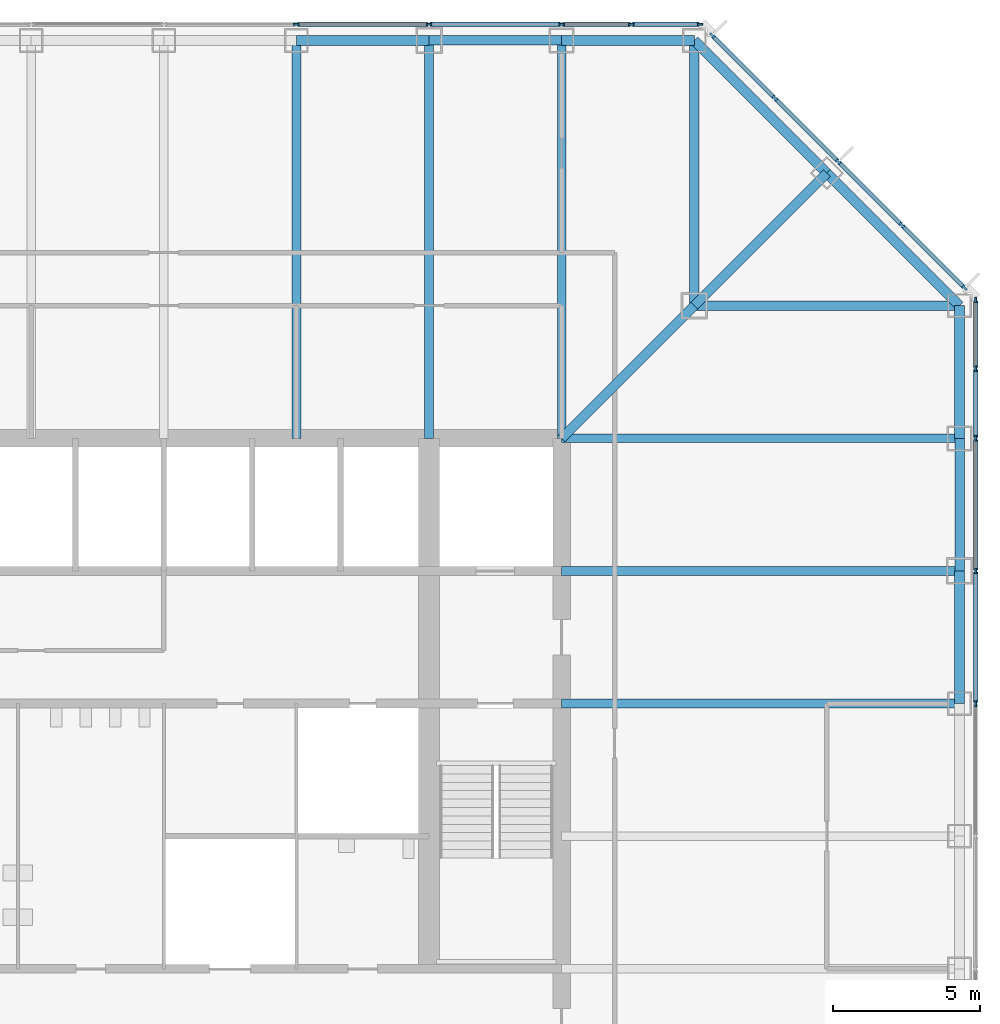
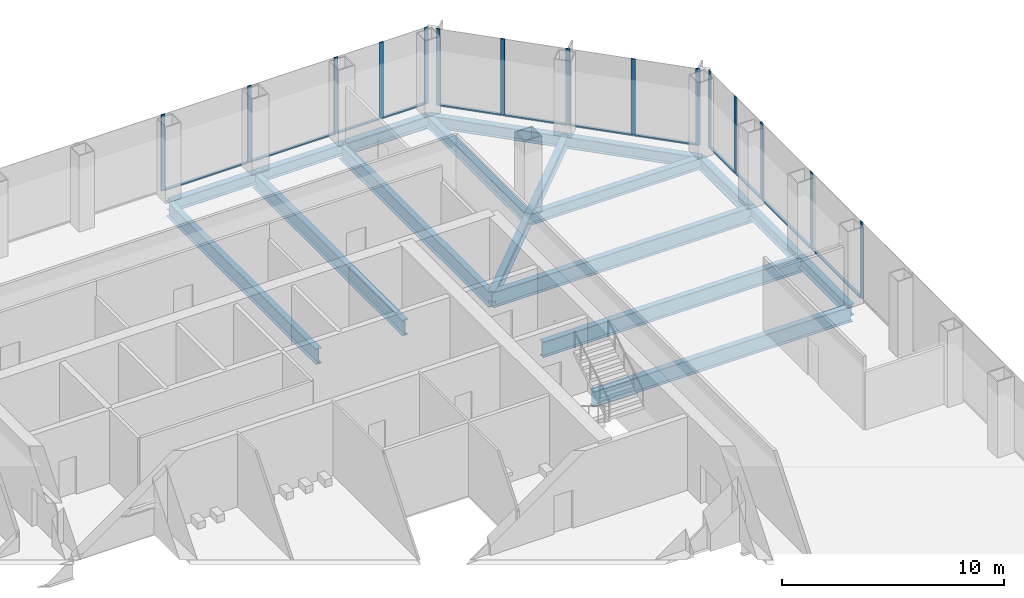
# One storey, part 6 of 12: 27 members, 18 beams, 3 elements without a shape of their own.
"""IFC4 building model written with IfcOpenShell, lengths in metres."""

from ifc_helpers import new_model, si_unit, direction, frame, origin, origin_2d, place, context, subcontext, project, spatial, rectangle, i_section, extrude, material, material_profile, profile_set, type_object, element, aggregate, save


model = new_model("IFC4")

# Units and contexts
model_context = context("Model", 3, precision=1e-05, world=origin(), true_north=direction((0.0, 1.0)))
body_context = subcontext(model_context, "Body", "Model", "MODEL_VIEW")
ifc_project = project(units=[si_unit("LENGTHUNIT", "METRE"), si_unit("AREAUNIT", "SQUARE_METRE"), si_unit("VOLUMEUNIT", "CUBIC_METRE"), si_unit("PLANEANGLEUNIT", "RADIAN"), si_unit("MASSUNIT", "GRAM", prefix="KILO")], contexts=[model_context])

# Site, building, storey
site_placement = place(None, origin())
site = spatial("IfcSite", under=ifc_project, at=site_placement, CompositionType="ELEMENT")
building_placement = place(site_placement, origin())
building = spatial("IfcBuilding", under=site, at=building_placement, Name="Corais Broadcast Tower", CompositionType="ELEMENT")
storey_placement = place(building_placement, frame((0.0, 0.0, 58.39990234375)))
storey = spatial("IfcBuildingStorey", under=building, at=storey_placement, Name="L12", CompositionType="ELEMENT", Elevation=58.39990234375)

# Beams
ifc_material_1 = material(Name="Steel ASTM A572 Grade 50", Category="steel")
ifc_material_profile_1 = material_profile(ifc_material_1, i_section(OverallWidth=0.323974609375, OverallDepth=0.611083984375, WebThickness=0.0126953125, FlangeThickness=0.01904296875, at=origin_2d()), Name="W610x155")
ifc_profile_set_1 = profile_set([ifc_material_profile_1], Name="Steel ASTM A572 Grade 50")
beam_type_1 = type_object("IfcBeamType", Name="Chamfer tie W610x155", PredefinedType="BEAM", material=ifc_profile_set_1)
beam_1_placement = place(storey_placement, frame((49.5, 49.5, -0.46533203125), z_axis=(-0.707106781187, -0.707106781187, 0.0), x_axis=(0.707106781187, -0.707106781187, 0.0)))
element("IfcBeam", 1, at=beam_1_placement, inside=storey, type_object=beam_type_1, Name="B5 M/14 to L/13", PredefinedType="BEAM", context=body_context, shape_type="SweptSolid", body=[
    extrude(i_section(OverallWidth=0.323974609375, OverallDepth=0.611083984375, WebThickness=0.0126953125, FlangeThickness=0.01904296875, at=origin_2d()), origin(), (0.0, 0.0, 1.0), 6.364013671875),
])
ifc_material_2 = material(Name="Steel ASTM A572 Grade 50", Category="steel")
ifc_material_profile_2 = material_profile(ifc_material_2, i_section(OverallWidth=0.323974609375, OverallDepth=0.611083984375, WebThickness=0.0126953125, FlangeThickness=0.01904296875, at=origin_2d()), Name="W610x155")
ifc_profile_set_2 = profile_set([ifc_material_profile_2], Name="Steel ASTM A572 Grade 50")
beam_type_2 = type_object("IfcBeamType", Name="Corner diagonal W610x155", PredefinedType="BEAM", material=ifc_profile_set_2)
beam_2_placement = place(storey_placement, frame((45.0, 45.0, -0.46533203125), z_axis=(-0.707106781187, -0.707106781187, 0.0), x_axis=(0.707106781187, -0.707106781187, 0.0)))
element("IfcBeam", 2, at=beam_2_placement, inside=storey, type_object=beam_type_2, Name="B6 L/13 to K/12", PredefinedType="BEAM", context=body_context, shape_type="SweptSolid", body=[
    extrude(i_section(OverallWidth=0.323974609375, OverallDepth=0.611083984375, WebThickness=0.0126953125, FlangeThickness=0.01904296875, at=origin_2d()), origin(), (0.0, 0.0, 1.0), 6.364013671875),
])
ifc_material_3 = material(Name="Steel ASTM A572 Grade 50", Category="steel")
ifc_material_profile_3 = material_profile(ifc_material_3, i_section(OverallWidth=0.323974609375, OverallDepth=0.611083984375, WebThickness=0.0126953125, FlangeThickness=0.01904296875, at=origin_2d()), Name="W610x155")
ifc_profile_set_3 = profile_set([ifc_material_profile_3], Name="Steel ASTM A572 Grade 50")
beam_type_3 = type_object("IfcBeamType", Name="Corner girder W610x155", PredefinedType="BEAM", material=ifc_profile_set_3)
for number, where, z_axis, x_axis, name in (
    (3, (45.0, 54.0, -0.46533203125), (0.0, -1.0, 0.0), (1.0, 0.0, 0.0), "B4 N/13 to L/13"),
    (4, (54.0, 45.0, -0.46533203125), (-1.0, 0.0, 0.0), (0.0, -1.0, 0.0), "B4 L/15 to L/13"),
):
    element("IfcBeam", number, at=place(storey_placement, frame(where, z_axis=z_axis, x_axis=x_axis)), inside=storey, type_object=beam_type_3, Name=name, PredefinedType="BEAM", context=body_context, shape_type="SweptSolid", body=[
        extrude(i_section(OverallWidth=0.323974609375, OverallDepth=0.611083984375, WebThickness=0.0126953125, FlangeThickness=0.01904296875, at=origin_2d()), origin(), (0.0, 0.0, 1.0), 9.0),
    ])
ifc_material_4 = material(Name="Steel ASTM A572 Grade 50", Category="steel")
ifc_material_profile_4 = material_profile(ifc_material_4, i_section(OverallWidth=0.337890625, OverallDepth=0.677978515625, WebThickness=0.029541015625, FlangeThickness=0.052978515625, at=origin_2d()), Name="W610x415")
ifc_profile_set_4 = profile_set([ifc_material_profile_4], Name="Steel ASTM A572 Grade 50")
beam_type_4 = type_object("IfcBeamType", Name="Corner spandrel W610x415", PredefinedType="BEAM", material=ifc_profile_set_4)
for number, where, z_axis, x_axis, name in (
    (5, (45.0, 54.0, -0.4990234375), (-1.0, 0.0, 0.0), (0.0, -1.0, 0.0), "SB10 N/13 to N/12"),
    (6, (54.0, 40.5, -0.4990234375), (0.0, 1.0, 0.0), (-1.0, 0.0, 0.0), "SB10 K/15 to L/15"),
):
    element("IfcBeam", number, at=place(storey_placement, frame(where, z_axis=z_axis, x_axis=x_axis)), inside=storey, type_object=beam_type_4, Name=name, PredefinedType="BEAM", context=body_context, shape_type="SweptSolid", body=[
        extrude(i_section(OverallWidth=0.337890625, OverallDepth=0.677978515625, WebThickness=0.029541015625, FlangeThickness=0.052978515625, at=origin_2d()), origin(), (0.0, 0.0, 1.0), 4.5),
    ])
ifc_material_5 = material(Name="Steel ASTM A572 Grade 50", Category="steel")
ifc_material_profile_5 = material_profile(ifc_material_5, i_section(OverallWidth=0.2939453125, OverallDepth=0.85107421875, WebThickness=0.01611328125, FlangeThickness=0.02685546875, at=origin_2d()), Name="W840x226")
ifc_profile_set_5 = profile_set([ifc_material_profile_5], Name="Steel ASTM A572 Grade 50")
beam_type_5 = type_object("IfcBeamType", Name="Floor beam W840x226", PredefinedType="BEAM", material=ifc_profile_set_5)
for number, where, z_axis, x_axis, name in (
    (7, (31.5, 54.0, -0.58544921875), (0.0, -1.0, 0.0), (1.0, 0.0, 0.0), "B1 N/10 to K/10"),
    (8, (36.0, 54.0, -0.58544921875), (0.0, -1.0, 0.0), (1.0, 0.0, 0.0), "B1 N/11 to K/11"),
    (9, (40.5, 54.0, -0.58544921875), (0.0, -1.0, 0.0), (1.0, 0.0, 0.0), "B1 N/12 to K/12"),
    (10, (54.0, 31.5, -0.58544921875), (-1.0, 0.0, 0.0), (0.0, -1.0, 0.0), "B1 H/15 to H/12"),
    (11, (54.0, 36.0, -0.58544921875), (-1.0, 0.0, 0.0), (0.0, -1.0, 0.0), "B1 J/15 to J/12"),
    (12, (54.0, 40.5, -0.58544921875), (-1.0, 0.0, 0.0), (0.0, -1.0, 0.0), "B1 K/15 to K/12"),
):
    element("IfcBeam", number, at=place(storey_placement, frame(where, z_axis=z_axis, x_axis=x_axis)), inside=storey, type_object=beam_type_5, Name=name, PredefinedType="BEAM", context=body_context, shape_type="SweptSolid", body=[
        extrude(i_section(OverallWidth=0.2939453125, OverallDepth=0.85107421875, WebThickness=0.01611328125, FlangeThickness=0.02685546875, at=origin_2d()), origin(), (0.0, 0.0, 1.0), 13.5),
    ])

# Curtain wall, members
ifc_material_6 = material(Name="Aluminium and glass", Category="aluminium")
curtain_wall_type = type_object("IfcCurtainWallType", Name="Unitised fritted curtain wall CW1", PredefinedType="NOTDEFINED", material=ifc_material_6)
curtain_wall_1_placement = place(storey_placement, origin())
curtain_wall_1 = element("IfcCurtainWall", 13, at=curtain_wall_1_placement, inside=storey, type_object=curtain_wall_type, Name="CW1 curtain wall L12 4", PredefinedType="NOTDEFINED")
ifc_material_7 = material(Name="Aluminium 6063-T6", Category="aluminium")
ifc_material_profile_6 = material_profile(ifc_material_7, rectangle(XDim=0.06494140625, YDim=0.199951171875, at=origin_2d()), Name="Mullion CW1 65x200")
ifc_profile_set_6 = profile_set([ifc_material_profile_6], Name="Aluminium 6063-T6")
member_type_1 = type_object("IfcMemberType", Name="Mullion CW1 65x200", PredefinedType="MULLION", material=ifc_profile_set_6)
member_1_placement = place(storey_placement, frame((31.5, 54.550048828125, 0.0), z_axis=(0.0, 0.0, 1.0), x_axis=(0.0, 1.0, 0.0)))
member_1 = element("IfcMember", 14, at=member_1_placement, type_object=member_type_1, Name="CW1 mullion 7", PredefinedType="MULLION", context=body_context, shape_type="SweptSolid", body=[
    extrude(rectangle(XDim=0.06494140625, YDim=0.199951171875, at=origin_2d()), origin(), (0.0, 0.0, 1.0), 4.2001953125),
])
member_2_placement = place(storey_placement, frame((36.0, 54.550048828125, 0.0), z_axis=(0.0, 0.0, 1.0), x_axis=(0.0, 1.0, 0.0)))
member_2 = element("IfcMember", 15, at=member_2_placement, type_object=member_type_1, Name="CW1 mullion 8", PredefinedType="MULLION", context=body_context, shape_type="SweptSolid", body=[
    extrude(rectangle(XDim=0.06494140625, YDim=0.199951171875, at=origin_2d()), origin(), (0.0, 0.0, 1.0), 4.2001953125),
])
member_3_placement = place(storey_placement, frame((40.5, 54.550048828125, 0.0), z_axis=(0.0, 0.0, 1.0), x_axis=(0.0, 1.0, 0.0)))
member_3 = element("IfcMember", 16, at=member_3_placement, type_object=member_type_1, Name="CW1 mullion 9", PredefinedType="MULLION", context=body_context, shape_type="SweptSolid", body=[
    extrude(rectangle(XDim=0.06494140625, YDim=0.199951171875, at=origin_2d()), origin(), (0.0, 0.0, 1.0), 4.2001953125),
])
member_4_placement = place(storey_placement, frame((42.864013671875, 54.550048828125, 0.0), z_axis=(0.0, 0.0, 1.0), x_axis=(0.0, 1.0, 0.0)))
member_4 = element("IfcMember", 17, at=member_4_placement, type_object=member_type_1, Name="CW1 mullion 10", PredefinedType="MULLION", context=body_context, shape_type="SweptSolid", body=[
    extrude(rectangle(XDim=0.06494140625, YDim=0.199951171875, at=origin_2d()), origin(), (0.0, 0.0, 1.0), 4.2001953125),
])
member_5_placement = place(storey_placement, frame((45.1953125, 54.550048828125, 0.0), z_axis=(0.0, 0.0, 1.0), x_axis=(0.0, 1.0, 0.0)))
member_5 = element("IfcMember", 18, at=member_5_placement, type_object=member_type_1, Name="CW1 mullion 11", PredefinedType="MULLION", context=body_context, shape_type="SweptSolid", body=[
    extrude(rectangle(XDim=0.06494140625, YDim=0.199951171875, at=origin_2d()), origin(), (0.0, 0.0, 1.0), 4.2001953125),
])

curtain_wall_2_placement = place(storey_placement, origin())
curtain_wall_2 = element("IfcCurtainWall", 19, at=curtain_wall_2_placement, inside=storey, type_object=curtain_wall_type, Name="CW1 curtain wall L12 5", PredefinedType="NOTDEFINED")
member_6_placement = place(storey_placement, frame((45.6044921875, 54.17333984375, 0.0), z_axis=(0.0, 0.0, 1.0), x_axis=(0.707106781187, 0.707106781187, 0.0)))
member_6 = element("IfcMember", 20, at=member_6_placement, type_object=member_type_1, Name="CW1 mullion 1", PredefinedType="MULLION", context=body_context, shape_type="SweptSolid", body=[
    extrude(rectangle(XDim=0.06494140625, YDim=0.199951171875, at=origin_2d()), origin(), (0.0, 0.0, 1.0), 4.2001953125),
])
member_7_placement = place(storey_placement, frame((47.735107421875, 52.042724609375, 0.0), z_axis=(0.0, 0.0, 1.0), x_axis=(0.707106781187, 0.707106781187, 0.0)))
member_7 = element("IfcMember", 21, at=member_7_placement, type_object=member_type_1, Name="CW1 mullion 2", PredefinedType="MULLION", context=body_context, shape_type="SweptSolid", body=[
    extrude(rectangle(XDim=0.06494140625, YDim=0.199951171875, at=origin_2d()), origin(), (0.0, 0.0, 1.0), 4.2001953125),
])
member_8_placement = place(storey_placement, frame((49.888916015625, 49.888916015625, 0.0), z_axis=(0.0, 0.0, 1.0), x_axis=(0.707106781187, 0.707106781187, 0.0)))
member_8 = element("IfcMember", 22, at=member_8_placement, type_object=member_type_1, Name="CW1 mullion 3", PredefinedType="MULLION", context=body_context, shape_type="SweptSolid", body=[
    extrude(rectangle(XDim=0.06494140625, YDim=0.199951171875, at=origin_2d()), origin(), (0.0, 0.0, 1.0), 4.2001953125),
])
member_9_placement = place(storey_placement, frame((52.042724609375, 47.735107421875, 0.0), z_axis=(0.0, 0.0, 1.0), x_axis=(0.707106781187, 0.707106781187, 0.0)))
member_9 = element("IfcMember", 23, at=member_9_placement, type_object=member_type_1, Name="CW1 mullion 4", PredefinedType="MULLION", context=body_context, shape_type="SweptSolid", body=[
    extrude(rectangle(XDim=0.06494140625, YDim=0.199951171875, at=origin_2d()), origin(), (0.0, 0.0, 1.0), 4.2001953125),
])
member_10_placement = place(storey_placement, frame((54.17333984375, 45.6044921875, 0.0), z_axis=(0.0, 0.0, 1.0), x_axis=(0.707106781187, 0.707106781187, 0.0)))
member_10 = element("IfcMember", 24, at=member_10_placement, type_object=member_type_1, Name="CW1 mullion 5", PredefinedType="MULLION", context=body_context, shape_type="SweptSolid", body=[
    extrude(rectangle(XDim=0.06494140625, YDim=0.199951171875, at=origin_2d()), origin(), (0.0, 0.0, 1.0), 4.2001953125),
])

curtain_wall_3_placement = place(storey_placement, origin())
curtain_wall_3 = element("IfcCurtainWall", 25, at=curtain_wall_3_placement, inside=storey, type_object=curtain_wall_type, Name="CW1 curtain wall L12 6", PredefinedType="NOTDEFINED")
member_11_placement = place(storey_placement, frame((54.550048828125, 45.1953125, 0.0), z_axis=(0.0, 0.0, 1.0), x_axis=(1.0, 0.0, 0.0)))
member_11 = element("IfcMember", 26, at=member_11_placement, type_object=member_type_1, Name="CW1 mullion 1", PredefinedType="MULLION", context=body_context, shape_type="SweptSolid", body=[
    extrude(rectangle(XDim=0.06494140625, YDim=0.199951171875, at=origin_2d()), origin(), (0.0, 0.0, 1.0), 4.2001953125),
])
member_12_placement = place(storey_placement, frame((54.550048828125, 42.864013671875, 0.0), z_axis=(0.0, 0.0, 1.0), x_axis=(1.0, 0.0, 0.0)))
member_12 = element("IfcMember", 27, at=member_12_placement, type_object=member_type_1, Name="CW1 mullion 2", PredefinedType="MULLION", context=body_context, shape_type="SweptSolid", body=[
    extrude(rectangle(XDim=0.06494140625, YDim=0.199951171875, at=origin_2d()), origin(), (0.0, 0.0, 1.0), 4.2001953125),
])
member_13_placement = place(storey_placement, frame((54.550048828125, 40.5, 0.0), z_axis=(0.0, 0.0, 1.0), x_axis=(1.0, 0.0, 0.0)))
member_13 = element("IfcMember", 28, at=member_13_placement, type_object=member_type_1, Name="CW1 mullion 3", PredefinedType="MULLION", context=body_context, shape_type="SweptSolid", body=[
    extrude(rectangle(XDim=0.06494140625, YDim=0.199951171875, at=origin_2d()), origin(), (0.0, 0.0, 1.0), 4.2001953125),
])
member_14_placement = place(storey_placement, frame((54.550048828125, 36.0, 0.0), z_axis=(0.0, 0.0, 1.0), x_axis=(1.0, 0.0, 0.0)))
member_14 = element("IfcMember", 29, at=member_14_placement, type_object=member_type_1, Name="CW1 mullion 4", PredefinedType="MULLION", context=body_context, shape_type="SweptSolid", body=[
    extrude(rectangle(XDim=0.06494140625, YDim=0.199951171875, at=origin_2d()), origin(), (0.0, 0.0, 1.0), 4.2001953125),
])
member_15_placement = place(storey_placement, frame((54.550048828125, 31.5, 0.0), z_axis=(0.0, 0.0, 1.0), x_axis=(1.0, 0.0, 0.0)))
member_15 = element("IfcMember", 30, at=member_15_placement, type_object=member_type_1, Name="CW1 mullion 5", PredefinedType="MULLION", context=body_context, shape_type="SweptSolid", body=[
    extrude(rectangle(XDim=0.06494140625, YDim=0.199951171875, at=origin_2d()), origin(), (0.0, 0.0, 1.0), 4.2001953125),
])

# Beams
ifc_material_8 = material(Name="Steel ASTM A572 Grade 50", Category="steel")
ifc_material_profile_7 = material_profile(ifc_material_8, i_section(OverallWidth=0.323974609375, OverallDepth=0.611083984375, WebThickness=0.0126953125, FlangeThickness=0.01904296875, at=origin_2d()), Name="W610x155")
ifc_profile_set_7 = profile_set([ifc_material_profile_7], Name="Steel ASTM A572 Grade 50")
beam_type_6 = type_object("IfcBeamType", Name="Pinned spandrel W610x155", PredefinedType="BEAM", material=ifc_profile_set_7)
for number, where, z_axis, x_axis, name in (
    (31, (40.5, 54.0, -0.46533203125), (-1.0, 0.0, 0.0), (0.0, -1.0, 0.0), "SB6 N/12 to N/11"),
    (32, (54.0, 36.0, -0.46533203125), (0.0, 1.0, 0.0), (-1.0, 0.0, 0.0), "SB6 J/15 to K/15"),
):
    element("IfcBeam", number, at=place(storey_placement, frame(where, z_axis=z_axis, x_axis=x_axis)), inside=storey, type_object=beam_type_6, Name=name, PredefinedType="BEAM", context=body_context, shape_type="SweptSolid", body=[
        extrude(i_section(OverallWidth=0.323974609375, OverallDepth=0.611083984375, WebThickness=0.0126953125, FlangeThickness=0.01904296875, at=origin_2d()), origin(), (0.0, 0.0, 1.0), 4.5),
    ])
ifc_material_9 = material(Name="Steel ASTM A572 Grade 50", Category="steel")
ifc_material_profile_8 = material_profile(ifc_material_9, i_section(OverallWidth=0.3291015625, OverallDepth=0.635009765625, WebThickness=0.017822265625, FlangeThickness=0.031005859375, at=origin_2d()), Name="W610x241")
ifc_profile_set_8 = profile_set([ifc_material_profile_8], Name="Steel ASTM A572 Grade 50")
beam_type_7 = type_object("IfcBeamType", Name="Spandrel W610x241", PredefinedType="BEAM", material=ifc_profile_set_8)
beam_3_placement = place(storey_placement, frame((36.0, 54.0, -0.477294921875), z_axis=(-1.0, 0.0, 0.0), x_axis=(0.0, -1.0, 0.0)))
element("IfcBeam", 33, at=beam_3_placement, inside=storey, type_object=beam_type_7, Name="SB1 N/11 to N/10", PredefinedType="BEAM", context=body_context, shape_type="SweptSolid", body=[
    extrude(i_section(OverallWidth=0.3291015625, OverallDepth=0.635009765625, WebThickness=0.017822265625, FlangeThickness=0.031005859375, at=origin_2d()), origin(), (0.0, 0.0, 1.0), 4.5),
])
beam_4_placement = place(storey_placement, frame((49.5, 49.5, -0.477294921875), z_axis=(-0.707106781187, 0.707106781187, 0.0), x_axis=(-0.707106781187, -0.707106781187, 0.0)))
element("IfcBeam", 34, at=beam_4_placement, inside=storey, type_object=beam_type_7, Name="SB1 M/14 to N/13", PredefinedType="BEAM", context=body_context, shape_type="SweptSolid", body=[
    extrude(i_section(OverallWidth=0.3291015625, OverallDepth=0.635009765625, WebThickness=0.017822265625, FlangeThickness=0.031005859375, at=origin_2d()), origin(), (0.0, 0.0, 1.0), 6.364013671875),
])
beam_5_placement = place(storey_placement, frame((54.0, 31.5, -0.477294921875), z_axis=(0.0, 1.0, 0.0), x_axis=(-1.0, 0.0, 0.0)))
element("IfcBeam", 35, at=beam_5_placement, inside=storey, type_object=beam_type_7, Name="SB1 H/15 to J/15", PredefinedType="BEAM", context=body_context, shape_type="SweptSolid", body=[
    extrude(i_section(OverallWidth=0.3291015625, OverallDepth=0.635009765625, WebThickness=0.017822265625, FlangeThickness=0.031005859375, at=origin_2d()), origin(), (0.0, 0.0, 1.0), 4.5),
])
beam_6_placement = place(storey_placement, frame((54.0, 45.0, -0.477294921875), z_axis=(-0.707106781187, 0.707106781187, 0.0), x_axis=(-0.707106781187, -0.707106781187, 0.0)))
element("IfcBeam", 36, at=beam_6_placement, inside=storey, type_object=beam_type_7, Name="SB1 L/15 to M/14", PredefinedType="BEAM", context=body_context, shape_type="SweptSolid", body=[
    extrude(i_section(OverallWidth=0.3291015625, OverallDepth=0.635009765625, WebThickness=0.017822265625, FlangeThickness=0.031005859375, at=origin_2d()), origin(), (0.0, 0.0, 1.0), 6.364013671875),
])

# Member
ifc_material_10 = material(Name="Aluminium 6063-T6", Category="aluminium")
ifc_material_profile_9 = material_profile(ifc_material_10, rectangle(XDim=0.139892578125, YDim=0.06494140625, at=origin_2d()), Name="Transom CW1 65x140")
ifc_profile_set_9 = profile_set([ifc_material_profile_9], Name="Aluminium 6063-T6")
member_type_2 = type_object("IfcMemberType", Name="Transom CW1 65x140", PredefinedType="USERDEFINED", material=ifc_profile_set_9)
member_16_placement = place(storey_placement, frame((31.532470703125, 54.550048828125, 0.03271484375), z_axis=(1.0, 0.0, 0.0), x_axis=(0.0, 1.0, 0.0)))
member_16 = element("IfcMember", 37, at=member_16_placement, type_object=member_type_2, Name="CW1 transom 7.1", ObjectType="TRANSOM", PredefinedType="USERDEFINED", context=body_context, shape_type="SweptSolid", body=[
    extrude(rectangle(XDim=0.139892578125, YDim=0.06494140625, at=origin_2d()), origin(), (0.0, 0.0, 1.0), 4.43505859375),
])

member_17_placement = place(storey_placement, frame((36.032470703125, 54.550048828125, 0.03271484375), z_axis=(1.0, 0.0, 0.0), x_axis=(0.0, 1.0, 0.0)))
member_17 = element("IfcMember", 38, at=member_17_placement, type_object=member_type_2, Name="CW1 transom 8.1", ObjectType="TRANSOM", PredefinedType="USERDEFINED", context=body_context, shape_type="SweptSolid", body=[
    extrude(rectangle(XDim=0.139892578125, YDim=0.06494140625, at=origin_2d()), origin(), (0.0, 0.0, 1.0), 4.43505859375),
])

member_18_placement = place(storey_placement, frame((40.532470703125, 54.550048828125, 0.03271484375), z_axis=(1.0, 0.0, 0.0), x_axis=(0.0, 1.0, 0.0)))
member_18 = element("IfcMember", 39, at=member_18_placement, type_object=member_type_2, Name="CW1 transom 9.1", ObjectType="TRANSOM", PredefinedType="USERDEFINED", context=body_context, shape_type="SweptSolid", body=[
    extrude(rectangle(XDim=0.139892578125, YDim=0.06494140625, at=origin_2d()), origin(), (0.0, 0.0, 1.0), 2.298828125),
])

member_19_placement = place(storey_placement, frame((42.896484375, 54.550048828125, 0.03271484375), z_axis=(1.0, 0.0, 0.0), x_axis=(0.0, 1.0, 0.0)))
member_19 = element("IfcMember", 40, at=member_19_placement, type_object=member_type_2, Name="CW1 transom 10.1", ObjectType="TRANSOM", PredefinedType="USERDEFINED", context=body_context, shape_type="SweptSolid", body=[
    extrude(rectangle(XDim=0.139892578125, YDim=0.06494140625, at=origin_2d()), origin(), (0.0, 0.0, 1.0), 2.266357421875),
])

aggregate(curtain_wall_1, [member_1, member_2, member_3, member_4, member_5, member_16, member_17, member_18, member_19])

member_20_placement = place(storey_placement, frame((45.62744140625, 54.150390625, 0.03271484375), z_axis=(0.707106781187, -0.707106781187, 0.0), x_axis=(0.707106781187, 0.707106781187, 0.0)))
member_20 = element("IfcMember", 41, at=member_20_placement, type_object=member_type_2, Name="CW1 transom 1.1", ObjectType="TRANSOM", PredefinedType="USERDEFINED", context=body_context, shape_type="SweptSolid", body=[
    extrude(rectangle(XDim=0.139892578125, YDim=0.06494140625, at=origin_2d()), origin(), (0.0, 0.0, 1.0), 2.9482421875),
])

member_21_placement = place(storey_placement, frame((47.758056640625, 52.019775390625, 0.03271484375), z_axis=(0.707106781187, -0.707106781187, 0.0), x_axis=(0.707106781187, 0.707106781187, 0.0)))
member_21 = element("IfcMember", 42, at=member_21_placement, type_object=member_type_2, Name="CW1 transom 2.1", ObjectType="TRANSOM", PredefinedType="USERDEFINED", context=body_context, shape_type="SweptSolid", body=[
    extrude(rectangle(XDim=0.139892578125, YDim=0.06494140625, at=origin_2d()), origin(), (0.0, 0.0, 1.0), 2.98095703125),
])

member_22_placement = place(storey_placement, frame((49.911865234375, 49.865966796875, 0.03271484375), z_axis=(0.707106781187, -0.707106781187, 0.0), x_axis=(0.707106781187, 0.707106781187, 0.0)))
member_22 = element("IfcMember", 43, at=member_22_placement, type_object=member_type_2, Name="CW1 transom 3.1", ObjectType="TRANSOM", PredefinedType="USERDEFINED", context=body_context, shape_type="SweptSolid", body=[
    extrude(rectangle(XDim=0.139892578125, YDim=0.06494140625, at=origin_2d()), origin(), (0.0, 0.0, 1.0), 2.98095703125),
])

member_23_placement = place(storey_placement, frame((52.065673828125, 47.712158203125, 0.03271484375), z_axis=(0.707106781187, -0.707106781187, 0.0), x_axis=(0.707106781187, 0.707106781187, 0.0)))
member_23 = element("IfcMember", 44, at=member_23_placement, type_object=member_type_2, Name="CW1 transom 4.1", ObjectType="TRANSOM", PredefinedType="USERDEFINED", context=body_context, shape_type="SweptSolid", body=[
    extrude(rectangle(XDim=0.139892578125, YDim=0.06494140625, at=origin_2d()), origin(), (0.0, 0.0, 1.0), 2.9482421875),
])

aggregate(curtain_wall_2, [member_6, member_7, member_8, member_9, member_10, member_20, member_21, member_22, member_23])

member_24_placement = place(storey_placement, frame((54.550048828125, 45.162841796875, 0.03271484375), z_axis=(0.0, -1.0, 0.0), x_axis=(1.0, 0.0, 0.0)))
member_24 = element("IfcMember", 45, at=member_24_placement, type_object=member_type_2, Name="CW1 transom 1.1", ObjectType="TRANSOM", PredefinedType="USERDEFINED", context=body_context, shape_type="SweptSolid", body=[
    extrude(rectangle(XDim=0.139892578125, YDim=0.06494140625, at=origin_2d()), origin(), (0.0, 0.0, 1.0), 2.266357421875),
])

member_25_placement = place(storey_placement, frame((54.550048828125, 42.831298828125, 0.03271484375), z_axis=(0.0, -1.0, 0.0), x_axis=(1.0, 0.0, 0.0)))
member_25 = element("IfcMember", 46, at=member_25_placement, type_object=member_type_2, Name="CW1 transom 2.1", ObjectType="TRANSOM", PredefinedType="USERDEFINED", context=body_context, shape_type="SweptSolid", body=[
    extrude(rectangle(XDim=0.139892578125, YDim=0.06494140625, at=origin_2d()), origin(), (0.0, 0.0, 1.0), 2.298828125),
])

member_26_placement = place(storey_placement, frame((54.550048828125, 40.467529296875, 0.03271484375), z_axis=(0.0, -1.0, 0.0), x_axis=(1.0, 0.0, 0.0)))
member_26 = element("IfcMember", 47, at=member_26_placement, type_object=member_type_2, Name="CW1 transom 3.1", ObjectType="TRANSOM", PredefinedType="USERDEFINED", context=body_context, shape_type="SweptSolid", body=[
    extrude(rectangle(XDim=0.139892578125, YDim=0.06494140625, at=origin_2d()), origin(), (0.0, 0.0, 1.0), 4.43505859375),
])

member_27_placement = place(storey_placement, frame((54.550048828125, 35.967529296875, 0.03271484375), z_axis=(0.0, -1.0, 0.0), x_axis=(1.0, 0.0, 0.0)))
member_27 = element("IfcMember", 48, at=member_27_placement, type_object=member_type_2, Name="CW1 transom 4.1", ObjectType="TRANSOM", PredefinedType="USERDEFINED", context=body_context, shape_type="SweptSolid", body=[
    extrude(rectangle(XDim=0.139892578125, YDim=0.06494140625, at=origin_2d()), origin(), (0.0, 0.0, 1.0), 4.43505859375),
])

aggregate(curtain_wall_3, [member_11, member_12, member_13, member_14, member_15, member_24, member_25, member_26, member_27])

save(model, "model.ifc")
